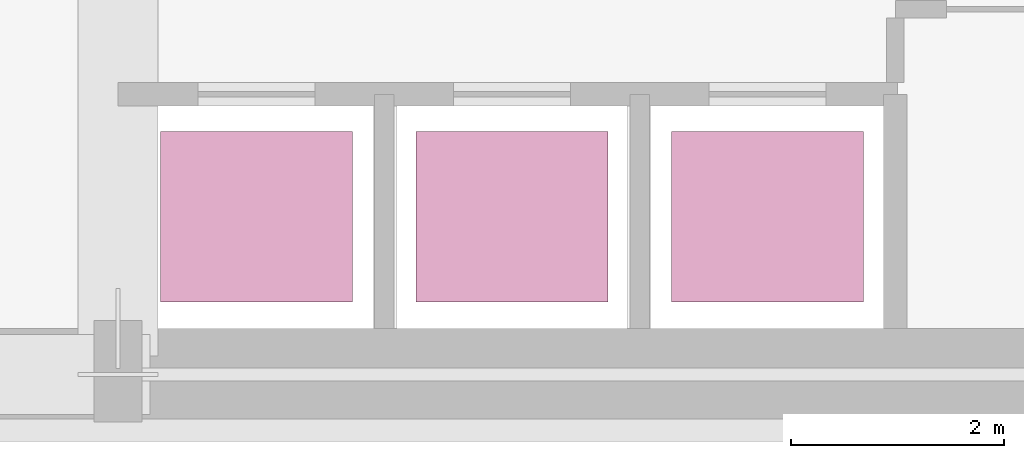
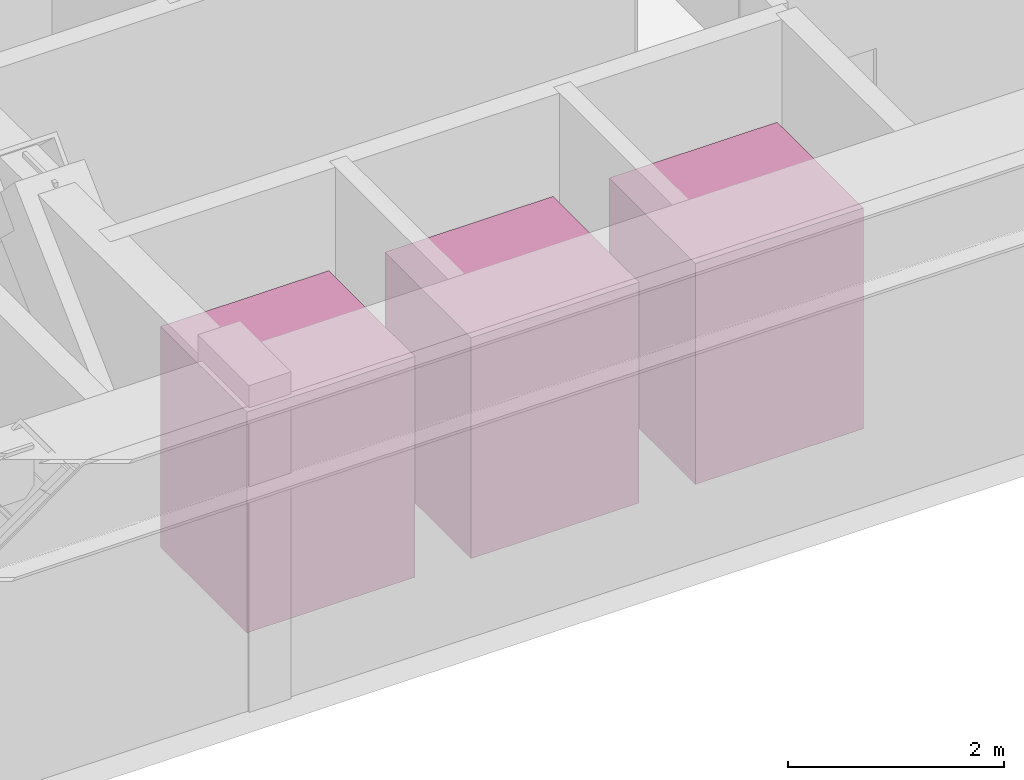
# One storey, part 15 of 15: 3 transport elements.
"""IFC4 building model written with IfcOpenShell, lengths in metres."""

from ifc_helpers import new_model, si_unit, direction, frame, origin, origin_2d, place, context, subcontext, project, spatial, rectangle, extrude, source, transform, mapped, material, type_object, type_shapes, element, save


model = new_model("IFC4")

# Units and contexts
model_context = context("Model", 3, precision=1e-05, world=origin(), true_north=direction((0.0, 1.0)))
body_context = subcontext(model_context, "Body", "Model", "MODEL_VIEW")
ifc_project = project(units=[si_unit("LENGTHUNIT", "METRE"), si_unit("AREAUNIT", "SQUARE_METRE"), si_unit("VOLUMEUNIT", "CUBIC_METRE"), si_unit("PLANEANGLEUNIT", "RADIAN"), si_unit("MASSUNIT", "GRAM", prefix="KILO")], contexts=[model_context])

# Site, building, storey
site_placement = place(None, origin())
site = spatial("IfcSite", under=ifc_project, at=site_placement, CompositionType="ELEMENT")
building_placement = place(site_placement, origin())
building = spatial("IfcBuilding", under=site, at=building_placement, Name="Varnakhor Terracotta Tower", CompositionType="ELEMENT")
storey_placement = place(building_placement, frame((0.0, 0.0, 57.10009765625)))
storey = spatial("IfcBuildingStorey", under=building, at=storey_placement, Name="L13", CompositionType="ELEMENT", Elevation=57.10009765625)

# Transport elements
ifc_material = material(Name="Stainless Steel Passenger Lift Car", Category="steel")
transport_element_type = type_object("IfcTransportElementType", Name="LIFT-PASS-BANK1", PredefinedType="ELEVATOR", material=ifc_material)
shared_shape = source(origin(), body_context, "Body", "SweptSolid", [
    extrude(rectangle(XDim=1.800048828125, YDim=1.60009765625, at=origin_2d()), origin(), (0.0, 0.0, 1.0), 2.5),
])
type_shapes(transport_element_type, [shared_shape])
for number, where, z_axis, x_axis, name in (
    (1, (-4.199951171875, 1.89990234375, 0.0), (0.0, 0.0, 1.0), (1.0, 0.0, 0.0), "Passenger Lift PL-1A"),
    (2, (-1.800048828125, 1.89990234375, 0.0), (0.0, 0.0, 1.0), (1.0, 0.0, 0.0), "Passenger Lift PL-1B"),
    (3, (0.60009765625, 1.89990234375, 0.0), (0.0, 0.0, 1.0), (1.0, 0.0, 0.0), "Passenger Lift PL-1C"),
):
    element("IfcTransportElement", number, at=place(storey_placement, frame(where, z_axis=z_axis, x_axis=x_axis)), inside=storey, type_object=transport_element_type, Name=name, PredefinedType="ELEVATOR", context=body_context, shape_type="MappedRepresentation", body=[
        mapped(shared_shape, transform((0.0, 0.0, 0.0), scale=1.0)),
    ])

save(model, "model.ifc")
